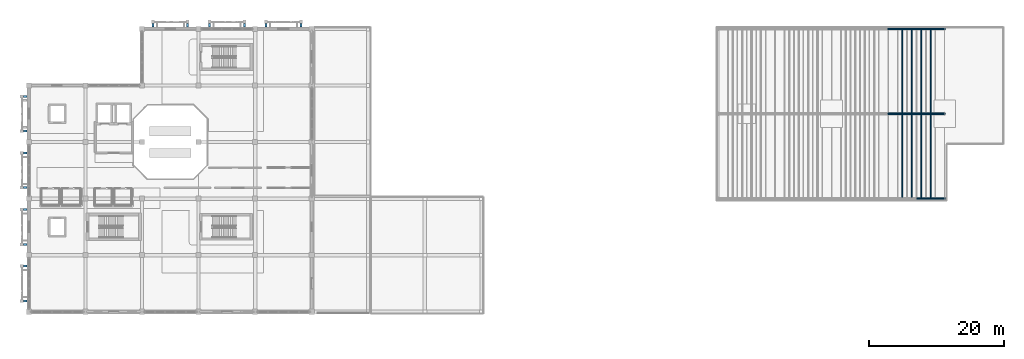
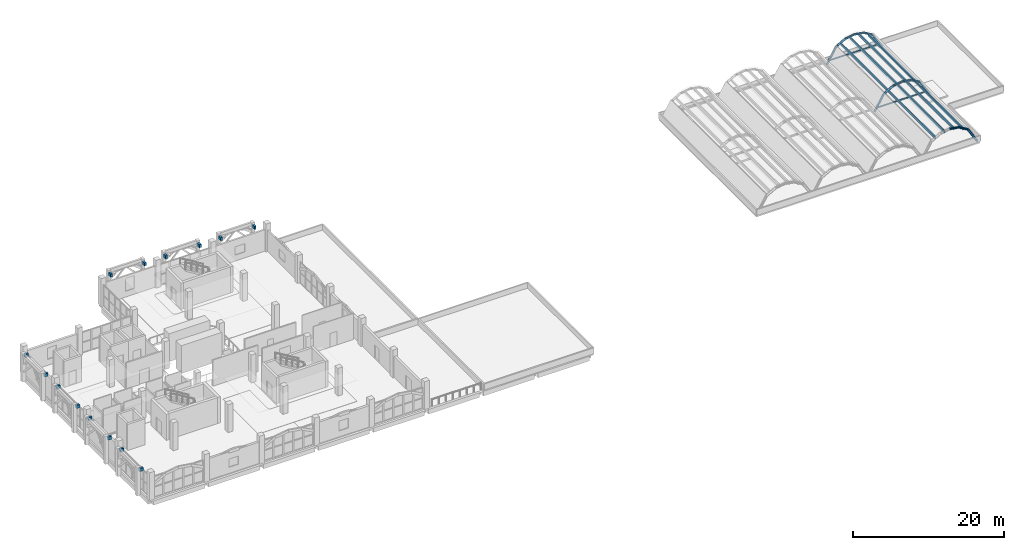
# One storey, part 20 of 34: 31 beams, 8 members.
"""IFC4 building model written with IfcOpenShell, lengths in metres."""

from ifc_helpers import new_model, si_unit, direction, frame, origin, origin_2d, place, context, subcontext, project, spatial, rectangle, hollow_circle, extrude, material, material_profile, profile_set, type_object, element, save


model = new_model("IFC4")

# Units and contexts
model_context = context("Model", 3, precision=1e-05, world=origin(), true_north=direction((0.0, 1.0)))
body_context = subcontext(model_context, "Body", "Model", "MODEL_VIEW")
ifc_project = project(units=[si_unit("LENGTHUNIT", "METRE"), si_unit("AREAUNIT", "SQUARE_METRE"), si_unit("VOLUMEUNIT", "CUBIC_METRE"), si_unit("PLANEANGLEUNIT", "RADIAN"), si_unit("MASSUNIT", "GRAM", prefix="KILO")], contexts=[model_context])

# Site, building, storey
site_placement = place(None, origin())
site = spatial("IfcSite", under=ifc_project, at=site_placement, CompositionType="ELEMENT")
building_placement = place(site_placement, origin())
building = spatial("IfcBuilding", under=site, at=building_placement, Name="Xazarin Passage Department Store", CompositionType="ELEMENT")
storey_placement = place(building_placement, frame((0.0, 0.0, 18.89990234375)))
storey = spatial("IfcBuildingStorey", under=building, at=storey_placement, Name="L04", CompositionType="ELEMENT", Elevation=18.89990234375)

# Beams
ifc_material_1 = material(Name="Steel S355", Category="steel")
ifc_material_profile_1 = material_profile(ifc_material_1, hollow_circle(Radius=0.161865234375, WallThickness=0.01611328125, at=origin_2d()), Name="CHS 323.9x16")
ifc_profile_set_1 = profile_set([ifc_material_profile_1], Name="Steel S355")
beam_type_1 = type_object("IfcBeamType", Name="STR-BM-AR324", PredefinedType="BEAM", material=ifc_profile_set_1)
beam_1_placement = place(storey_placement, frame((131.800048828125, 84.800048828125, 3.400146484375), z_axis=(0.986244763758, 0.0, -0.165291457616), x_axis=(0.0, 1.0, 0.0)))
element("IfcBeam", 1, at=beam_1_placement, inside=storey, type_object=beam_type_1, Name="L04 V4 Curved Shell Arch Rib 4.1.4", PredefinedType="BEAM", context=body_context, shape_type="SweptSolid", body=[
    extrude(hollow_circle(Radius=0.161865234375, WallThickness=0.01611328125, at=origin_2d()), origin(), (0.0, 0.0, 1.0), 1.41943359375),
])
beam_2_placement = place(storey_placement, frame((133.199951171875, 84.800048828125, 3.16552734375), z_axis=(0.867273652045, 0.0, -0.497831710991), x_axis=(0.0, 1.0, 0.0)))
element("IfcBeam", 2, at=beam_2_placement, inside=storey, type_object=beam_type_1, Name="L04 V4 Curved Shell Arch Rib 4.1.5", PredefinedType="BEAM", context=body_context, shape_type="SweptSolid", body=[
    extrude(hollow_circle(Radius=0.161865234375, WallThickness=0.01611328125, at=origin_2d()), origin(), (0.0, 0.0, 1.0), 1.614501953125),
])
for number, where, z_axis, x_axis, name in (
    (3, (134.60009765625, 84.800048828125, 2.36181640625), (0.509885262494, 0.0, -0.860242418794), (0.0, 1.0, 0.0), "L04 V4 Curved Shell Arch Rib 4.1.6"),
    (4, (127.60009765625, 97.39990234375, 0.0), (0.509885262494, 0.0, 0.860242418794), (0.0, 1.0, 0.0), "L04 V4 Curved Shell Arch Rib 4.2.1"),
):
    element("IfcBeam", number, at=place(storey_placement, frame(where, z_axis=z_axis, x_axis=x_axis)), inside=storey, type_object=beam_type_1, Name=name, PredefinedType="BEAM", context=body_context, shape_type="SweptSolid", body=[
        extrude(hollow_circle(Radius=0.161865234375, WallThickness=0.01611328125, at=origin_2d()), origin(), (0.0, 0.0, 1.0), 2.74560546875),
    ])
beam_3_placement = place(storey_placement, frame((129.0, 97.39990234375, 2.36181640625), z_axis=(0.867236165684, 0.0, 0.497897010365), x_axis=(0.0, 1.0, 0.0)))
element("IfcBeam", 5, at=beam_3_placement, inside=storey, type_object=beam_type_1, Name="L04 V4 Curved Shell Arch Rib 4.2.2", PredefinedType="BEAM", context=body_context, shape_type="SweptSolid", body=[
    extrude(hollow_circle(Radius=0.161865234375, WallThickness=0.01611328125, at=origin_2d()), origin(), (0.0, 0.0, 1.0), 1.6142578125),
])
beam_4_placement = place(storey_placement, frame((130.39990234375, 97.39990234375, 3.16552734375), z_axis=(0.986249461804, 0.0, 0.165263423329), x_axis=(0.0, 1.0, 0.0)))
element("IfcBeam", 6, at=beam_4_placement, inside=storey, type_object=beam_type_1, Name="L04 V4 Curved Shell Arch Rib 4.2.3", PredefinedType="BEAM", context=body_context, shape_type="SweptSolid", body=[
    extrude(hollow_circle(Radius=0.161865234375, WallThickness=0.01611328125, at=origin_2d()), origin(), (0.0, 0.0, 1.0), 1.419677734375),
])
beam_5_placement = place(storey_placement, frame((131.800048828125, 97.39990234375, 3.400146484375), z_axis=(0.986244763758, 0.0, -0.165291457616), x_axis=(0.0, 1.0, 0.0)))
element("IfcBeam", 7, at=beam_5_placement, inside=storey, type_object=beam_type_1, Name="L04 V4 Curved Shell Arch Rib 4.2.4", PredefinedType="BEAM", context=body_context, shape_type="SweptSolid", body=[
    extrude(hollow_circle(Radius=0.161865234375, WallThickness=0.01611328125, at=origin_2d()), origin(), (0.0, 0.0, 1.0), 1.41943359375),
])
beam_6_placement = place(storey_placement, frame((133.199951171875, 97.39990234375, 3.16552734375), z_axis=(0.867273652045, 0.0, -0.497831710991), x_axis=(0.0, 1.0, 0.0)))
element("IfcBeam", 8, at=beam_6_placement, inside=storey, type_object=beam_type_1, Name="L04 V4 Curved Shell Arch Rib 4.2.5", PredefinedType="BEAM", context=body_context, shape_type="SweptSolid", body=[
    extrude(hollow_circle(Radius=0.161865234375, WallThickness=0.01611328125, at=origin_2d()), origin(), (0.0, 0.0, 1.0), 1.614501953125),
])
for number, where, z_axis, x_axis, name in (
    (9, (134.60009765625, 97.39990234375, 2.36181640625), (0.509885262494, 0.0, -0.860242418794), (0.0, 1.0, 0.0), "L04 V4 Curved Shell Arch Rib 4.2.6"),
    (10, (127.60009765625, 110.0, 0.0), (0.509885262494, 0.0, 0.860242418794), (0.0, 1.0, 0.0), "L04 V4 Curved Shell Arch Rib 4.3.1"),
):
    element("IfcBeam", number, at=place(storey_placement, frame(where, z_axis=z_axis, x_axis=x_axis)), inside=storey, type_object=beam_type_1, Name=name, PredefinedType="BEAM", context=body_context, shape_type="SweptSolid", body=[
        extrude(hollow_circle(Radius=0.161865234375, WallThickness=0.01611328125, at=origin_2d()), origin(), (0.0, 0.0, 1.0), 2.74560546875),
    ])
beam_7_placement = place(storey_placement, frame((129.0, 110.0, 2.36181640625), z_axis=(0.867236165684, 0.0, 0.497897010365), x_axis=(0.0, 1.0, 0.0)))
element("IfcBeam", 11, at=beam_7_placement, inside=storey, type_object=beam_type_1, Name="L04 V4 Curved Shell Arch Rib 4.3.2", PredefinedType="BEAM", context=body_context, shape_type="SweptSolid", body=[
    extrude(hollow_circle(Radius=0.161865234375, WallThickness=0.01611328125, at=origin_2d()), origin(), (0.0, 0.0, 1.0), 1.6142578125),
])
beam_8_placement = place(storey_placement, frame((130.39990234375, 110.0, 3.16552734375), z_axis=(0.986249461804, 0.0, 0.165263423329), x_axis=(0.0, 1.0, 0.0)))
element("IfcBeam", 12, at=beam_8_placement, inside=storey, type_object=beam_type_1, Name="L04 V4 Curved Shell Arch Rib 4.3.3", PredefinedType="BEAM", context=body_context, shape_type="SweptSolid", body=[
    extrude(hollow_circle(Radius=0.161865234375, WallThickness=0.01611328125, at=origin_2d()), origin(), (0.0, 0.0, 1.0), 1.419677734375),
])
beam_9_placement = place(storey_placement, frame((131.800048828125, 110.0, 3.400146484375), z_axis=(0.986244763758, 0.0, -0.165291457616), x_axis=(0.0, 1.0, 0.0)))
element("IfcBeam", 13, at=beam_9_placement, inside=storey, type_object=beam_type_1, Name="L04 V4 Curved Shell Arch Rib 4.3.4", PredefinedType="BEAM", context=body_context, shape_type="SweptSolid", body=[
    extrude(hollow_circle(Radius=0.161865234375, WallThickness=0.01611328125, at=origin_2d()), origin(), (0.0, 0.0, 1.0), 1.41943359375),
])
beam_10_placement = place(storey_placement, frame((133.199951171875, 110.0, 3.16552734375), z_axis=(0.867273652045, 0.0, -0.497831710991), x_axis=(0.0, 1.0, 0.0)))
element("IfcBeam", 14, at=beam_10_placement, inside=storey, type_object=beam_type_1, Name="L04 V4 Curved Shell Arch Rib 4.3.5", PredefinedType="BEAM", context=body_context, shape_type="SweptSolid", body=[
    extrude(hollow_circle(Radius=0.161865234375, WallThickness=0.01611328125, at=origin_2d()), origin(), (0.0, 0.0, 1.0), 1.614501953125),
])
beam_11_placement = place(storey_placement, frame((134.60009765625, 110.0, 2.36181640625), z_axis=(0.509885262494, 0.0, -0.860242418794), x_axis=(0.0, 1.0, 0.0)))
element("IfcBeam", 15, at=beam_11_placement, inside=storey, type_object=beam_type_1, Name="L04 V4 Curved Shell Arch Rib 4.3.6", PredefinedType="BEAM", context=body_context, shape_type="SweptSolid", body=[
    extrude(hollow_circle(Radius=0.161865234375, WallThickness=0.01611328125, at=origin_2d()), origin(), (0.0, 0.0, 1.0), 2.74560546875),
])
ifc_material_2 = material(Name="Concrete C35/45", Category="concrete")
ifc_material_profile_2 = material_profile(ifc_material_2, rectangle(XDim=0.300048828125, YDim=0.5, at=origin_2d()), Name="RC 300x500")
ifc_profile_set_2 = profile_set([ifc_material_profile_2], Name="Concrete C35/45")
beam_type_2 = type_object("IfcBeamType", Name="STR-BM-LN300x500", PredefinedType="LINTEL", material=ifc_profile_set_2)
for number, where, z_axis, x_axis, name in (
    (16, (18.419921875, 110.280029296875, 3.9501953125), (0.0, 1.0, 0.0), (-1.0, 0.0, 0.0), "L04 V1 Colonnade Tie Rib 001L"),
    (17, (23.580078125, 110.280029296875, 3.9501953125), (0.0, 1.0, 0.0), (-1.0, 0.0, 0.0), "L04 V1 Colonnade Tie Rib 001R"),
    (18, (26.820068359375, 110.280029296875, 3.9501953125), (0.0, 1.0, 0.0), (-1.0, 0.0, 0.0), "L04 V1 Colonnade Tie Rib 002L"),
    (19, (31.97998046875, 110.280029296875, 3.9501953125), (0.0, 1.0, 0.0), (-1.0, 0.0, 0.0), "L04 V1 Colonnade Tie Rib 002R"),
    (20, (35.219970703125, 110.280029296875, 3.9501953125), (0.0, 1.0, 0.0), (-1.0, 0.0, 0.0), "L04 V1 Colonnade Tie Rib 003L"),
    (21, (40.3798828125, 110.280029296875, 3.9501953125), (0.0, 1.0, 0.0), (-1.0, 0.0, 0.0), "L04 V1 Colonnade Tie Rib 003R"),
    (22, (-0.280029296875, 69.6201171875, 3.9501953125), (-1.0, 0.0, 0.0), (0.0, -1.0, 0.0), "L04 V1 Colonnade Tie Rib 010L"),
    (23, (-0.280029296875, 74.780029296875, 3.9501953125), (-1.0, 0.0, 0.0), (0.0, -1.0, 0.0), "L04 V1 Colonnade Tie Rib 010R"),
    (24, (-0.280029296875, 78.02001953125, 3.9501953125), (-1.0, 0.0, 0.0), (0.0, -1.0, 0.0), "L04 V1 Colonnade Tie Rib 011L"),
    (25, (-0.280029296875, 83.179931640625, 3.9501953125), (-1.0, 0.0, 0.0), (0.0, -1.0, 0.0), "L04 V1 Colonnade Tie Rib 011R"),
    (26, (-0.280029296875, 86.419921875, 3.9501953125), (-1.0, 0.0, 0.0), (0.0, -1.0, 0.0), "L04 V1 Colonnade Tie Rib 012L"),
    (27, (-0.280029296875, 91.580078125, 3.9501953125), (-1.0, 0.0, 0.0), (0.0, -1.0, 0.0), "L04 V1 Colonnade Tie Rib 012R"),
    (28, (-0.280029296875, 94.820068359375, 3.9501953125), (-1.0, 0.0, 0.0), (0.0, -1.0, 0.0), "L04 V1 Colonnade Tie Rib 013L"),
    (29, (-0.280029296875, 99.97998046875, 3.9501953125), (-1.0, 0.0, 0.0), (0.0, -1.0, 0.0), "L04 V1 Colonnade Tie Rib 013R"),
):
    element("IfcBeam", number, at=place(storey_placement, frame(where, z_axis=z_axis, x_axis=x_axis)), inside=storey, type_object=beam_type_2, Name=name, PredefinedType="LINTEL", context=body_context, shape_type="SweptSolid", body=[
        extrude(rectangle(XDim=0.300048828125, YDim=0.5, at=origin_2d()), origin(), (0.0, 0.0, 1.0), 0.550048828125),
    ])
ifc_material_profile_3 = material_profile(ifc_material_1, hollow_circle(Radius=0.109619140625, WallThickness=0.012451171875, at=origin_2d()), Name="CHS 219.1x12.5")
ifc_profile_set_3 = profile_set([ifc_material_profile_3], Name="Steel S355")
beam_type_3 = type_object("IfcBeamType", Name="STR-BM-TIE219", PredefinedType="BEAM", material=ifc_profile_set_3)
for number, where, z_axis, x_axis, name in (
    (30, (128.050048828125, 97.39990234375, 0.52001953125), (1.0, 0.0, 0.0), (0.0, 1.0, 0.0), "L04 V4 Barrel Shell Tie 4.2"),
    (31, (128.050048828125, 110.0, 0.52001953125), (1.0, 0.0, 0.0), (0.0, 1.0, 0.0), "L04 V4 Barrel Shell Tie 4.3"),
):
    element("IfcBeam", number, at=place(storey_placement, frame(where, z_axis=z_axis, x_axis=x_axis)), inside=storey, type_object=beam_type_3, Name=name, PredefinedType="BEAM", context=body_context, shape_type="SweptSolid", body=[
        extrude(hollow_circle(Radius=0.109619140625, WallThickness=0.012451171875, at=origin_2d()), origin(), (0.0, 0.0, 1.0), 7.5),
    ])

# Members
ifc_material_3 = material(Name="Glulam GL28h", Category="wood")
ifc_material_profile_4 = material_profile(ifc_material_3, rectangle(XDim=0.159912109375, YDim=0.360107421875, at=origin_2d()), Name="GL28h 160x360")
ifc_profile_set_4 = profile_set([ifc_material_profile_4], Name="Glulam GL28h")
member_type = type_object("IfcMemberType", Name="STR-MEM-GL360", PredefinedType="PURLIN", material=ifc_profile_set_4)
for number, where, z_axis, x_axis, name in (
    (32, (129.699951171875, 84.85009765625, 2.6435546875), (0.0, 1.0, 0.0), (-1.0, 0.0, 0.0), "L04 V4 Barrel Shell Purlin 4.2.1"),
    (33, (129.699951171875, 97.449951171875, 2.6435546875), (0.0, 1.0, 0.0), (-1.0, 0.0, 0.0), "L04 V4 Barrel Shell Purlin 4.2.2"),
    (34, (131.10009765625, 84.85009765625, 3.162841796875), (0.0, 1.0, 0.0), (-1.0, 0.0, 0.0), "L04 V4 Barrel Shell Purlin 4.3.1"),
    (35, (131.10009765625, 97.449951171875, 3.162841796875), (0.0, 1.0, 0.0), (-1.0, 0.0, 0.0), "L04 V4 Barrel Shell Purlin 4.3.2"),
    (36, (132.5, 84.85009765625, 3.162841796875), (0.0, 1.0, 0.0), (-1.0, 0.0, 0.0), "L04 V4 Barrel Shell Purlin 4.4.1"),
    (37, (132.5, 97.449951171875, 3.162841796875), (0.0, 1.0, 0.0), (-1.0, 0.0, 0.0), "L04 V4 Barrel Shell Purlin 4.4.2"),
    (38, (133.89990234375, 84.85009765625, 2.6435546875), (0.0, 1.0, 0.0), (-1.0, 0.0, 0.0), "L04 V4 Barrel Shell Purlin 4.5.1"),
    (39, (133.89990234375, 97.449951171875, 2.6435546875), (0.0, 1.0, 0.0), (-1.0, 0.0, 0.0), "L04 V4 Barrel Shell Purlin 4.5.2"),
):
    element("IfcMember", number, at=place(storey_placement, frame(where, z_axis=z_axis, x_axis=x_axis)), inside=storey, type_object=member_type, Name=name, PredefinedType="PURLIN", context=body_context, shape_type="SweptSolid", body=[
        extrude(rectangle(XDim=0.159912109375, YDim=0.360107421875, at=origin_2d()), origin(), (0.0, 0.0, 1.0), 12.5),
    ])

save(model, "model.ifc")
